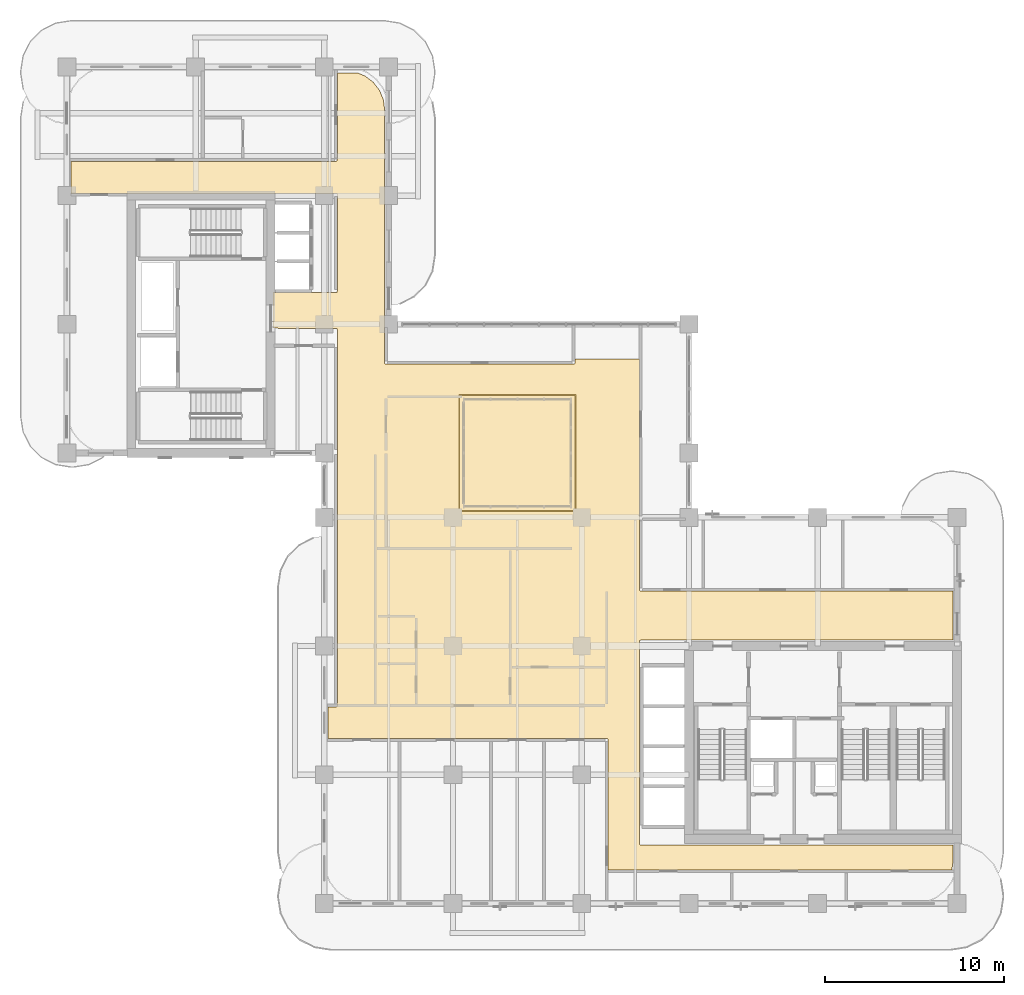
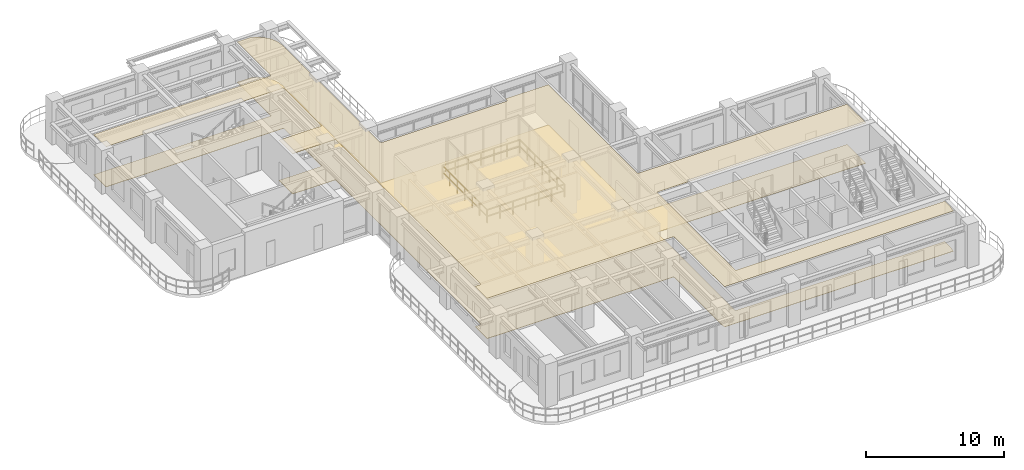
# One storey, part 18 of 21: 2 coverings, 1 railing.
"""IFC4 building model written with IfcOpenShell, lengths in metres."""

from ifc_helpers import new_model, si_unit, derived_unit, direction, frame, origin, origin_2d, place, context, subcontext, project, spatial, polyline, rectangle, outline, extrude, material, layer, layer_set, type_object, element, save


model = new_model("IFC4")

# Units and contexts
model_context = context("Model", 3, precision=1e-05, world=origin(), true_north=direction((0.0, 1.0)))
body_context = subcontext(model_context, "Body", "Model", "MODEL_VIEW")
ifc_project = project(units=[si_unit("LENGTHUNIT", "METRE"), si_unit("AREAUNIT", "SQUARE_METRE"), si_unit("VOLUMEUNIT", "CUBIC_METRE"), si_unit("PLANEANGLEUNIT", "RADIAN"), si_unit("MASSUNIT", "GRAM", prefix="KILO"), si_unit("THERMODYNAMICTEMPERATUREUNIT", "KELVIN"), si_unit("POWERUNIT", "WATT"), derived_unit("THERMALTRANSMITTANCEUNIT", [(si_unit("POWERUNIT", "WATT"), 1), (si_unit("AREAUNIT", "SQUARE_METRE"), -1), (si_unit("THERMODYNAMICTEMPERATUREUNIT", "KELVIN"), -1)])], contexts=[model_context])

# Site, building, storey
site_placement = place(None, origin())
site = spatial("IfcSite", under=ifc_project, at=site_placement, CompositionType="ELEMENT")
building_placement = place(site_placement, origin())
building = spatial("IfcBuilding", under=site, at=building_placement, Name="Zahravan Archway Hotel and Residences", CompositionType="ELEMENT")
storey_placement = place(building_placement, frame((0.0, 0.0, 169.550048828125)))
storey = spatial("IfcBuildingStorey", under=building, at=storey_placement, Name="L42", CompositionType="ELEMENT", Elevation=169.550048828125)

# Coverings
ifc_material_1 = material(Name="Perforated Acoustic Gypsum Ceiling")
ifc_layer_1 = layer(ifc_material_1, 0.02490234375, Name="Perforated Acoustic Gypsum Ceiling")
ifc_layer_set_1 = layer_set([ifc_layer_1], Name="Perforated Acoustic Gypsum Ceiling")
covering_type_1 = type_object("IfcCoveringType", Name="COV-CEIL-ACST", PredefinedType="CEILING", material=ifc_layer_set_1)
covering_1_placement = place(storey_placement, frame((0.0, 0.0, 3.574951171875)))
element("IfcCovering", 1, at=covering_1_placement, inside=storey, type_object=covering_type_1, Name="L42 Acoustic Corridor Ceiling", PredefinedType="CEILING", context=body_context, shape_type="SweptSolid", body=[
    extrude(outline(polyline([(32.021484375, 3.33447265625), (32.04345703125, 3.29345703125), (32.08447265625, 3.271484375), (49.580078125, 3.27001953125), (49.580078125, 2.414306640625), (49.509521484375, 1.8798828125), (30.280029296875, 1.8798828125), (30.280029296875, 9.14990234375), (30.2666015625, 9.1943359375), (30.230712890625, 9.223876953125), (14.6201171875, 9.22998046875), (14.6201171875, 10.989990234375), (15.050048828125, 10.989990234375), (15.094482421875, 11.00341796875), (15.123779296875, 11.039306640625), (15.1298828125, 32.10009765625), (15.116455078125, 32.144287109375), (15.08056640625, 32.173828125), (11.530029296875, 32.179931640625), (11.530029296875, 34.169921875), (15.050048828125, 34.169921875), (15.094482421875, 34.18359375), (15.123779296875, 34.219482421875), (15.1298828125, 39.64990234375), (15.116455078125, 39.6943359375), (15.08056640625, 39.723876953125), (0.22998046875, 39.72998046875), (0.22998046875, 41.52001953125), (15.050048828125, 41.52001953125), (15.094482421875, 41.533447265625), (15.123779296875, 41.5693359375), (15.1298828125, 46.469970703125), (16.24560546875, 46.469970703125), (16.689208984375, 46.286376953125), (17.14013671875, 45.940185546875), (17.486328125, 45.489013671875), (17.703857421875, 44.9638671875), (17.77001953125, 44.46142578125), (17.77001953125, 30.25), (17.783447265625, 30.20556640625), (17.8193359375, 30.176025390625), (28.35009765625, 30.169921875), (28.394287109375, 30.18359375), (28.423828125, 30.219482421875), (28.429931640625, 30.469970703125), (32.02001953125, 30.469970703125), (32.02001953125, 17.550048828125), (32.033447265625, 17.505615234375), (32.0693359375, 17.47607421875), (49.580078125, 17.469970703125), (49.580078125, 14.72998046875), (32.10009765625, 14.72998046875), (32.0556640625, 14.716552734375), (32.026123046875, 14.6806640625), (32.02001953125, 3.35009765625), (32.021484375, 3.33447265625)])), origin(), (0.0, 0.0, 1.0), 0.02490234375),
])
ifc_material_2 = material(Name="Honed Margalla Limestone & Mortar Bed", Category="masonry")
ifc_layer_2 = layer(ifc_material_2, 0.030029296875, Name="Honed Margalla Limestone & Mortar Bed", Category="masonry")
ifc_layer_set_2 = layer_set([ifc_layer_2], Name="Honed Margalla Limestone & Mortar Bed")
covering_type_2 = type_object("IfcCoveringType", Name="COV-FLR-STONE", PredefinedType="FLOORING", material=ifc_layer_set_2)
covering_2_placement = place(storey_placement, origin())
element("IfcCovering", 2, at=covering_2_placement, inside=storey, type_object=covering_type_2, Name="L42 Circulation Floor Finish", PredefinedType="FLOORING", context=body_context, shape_type="SweptSolid", body=[
    extrude(outline(polyline([(32.021484375, 3.33447265625), (32.04345703125, 3.29345703125), (32.08447265625, 3.271484375), (49.580078125, 3.27001953125), (49.580078125, 2.414306640625), (49.509521484375, 1.8798828125), (30.280029296875, 1.8798828125), (30.280029296875, 9.14990234375), (30.2666015625, 9.1943359375), (30.230712890625, 9.223876953125), (14.6201171875, 9.22998046875), (14.6201171875, 10.989990234375), (15.050048828125, 10.989990234375), (15.094482421875, 11.00341796875), (15.123779296875, 11.039306640625), (15.1298828125, 32.10009765625), (15.116455078125, 32.144287109375), (15.08056640625, 32.173828125), (11.530029296875, 32.179931640625), (11.530029296875, 34.169921875), (15.050048828125, 34.169921875), (15.094482421875, 34.18359375), (15.123779296875, 34.219482421875), (15.1298828125, 39.64990234375), (15.116455078125, 39.6943359375), (15.08056640625, 39.723876953125), (0.22998046875, 39.72998046875), (0.22998046875, 41.52001953125), (15.050048828125, 41.52001953125), (15.094482421875, 41.533447265625), (15.123779296875, 41.5693359375), (15.1298828125, 46.469970703125), (16.24560546875, 46.469970703125), (16.689208984375, 46.286376953125), (17.14013671875, 45.940185546875), (17.486328125, 45.489013671875), (17.703857421875, 44.9638671875), (17.77001953125, 44.46142578125), (17.77001953125, 30.25), (17.783447265625, 30.20556640625), (17.8193359375, 30.176025390625), (28.35009765625, 30.169921875), (28.394287109375, 30.18359375), (28.423828125, 30.219482421875), (28.429931640625, 30.469970703125), (32.02001953125, 30.469970703125), (32.02001953125, 17.550048828125), (32.033447265625, 17.505615234375), (32.0693359375, 17.47607421875), (49.580078125, 17.469970703125), (49.580078125, 14.72998046875), (32.10009765625, 14.72998046875), (32.0556640625, 14.716552734375), (32.026123046875, 14.6806640625), (32.02001953125, 3.35009765625), (32.021484375, 3.33447265625)])), origin(), (0.0, 0.0, 1.0), 0.030029296875),
])

# Railing
ifc_material_3 = material(Name="Atrium Laminated Glass Guardrail", Category="glass")
railing_type = type_object("IfcRailingType", Name="RL-ATR-1200", PredefinedType="BALUSTRADE", material=ifc_material_3)
railing_placement = place(storey_placement, frame((21.949951171875, 21.949951171875, 0.0)))
element("IfcRailing", 3, at=railing_placement, inside=storey, type_object=railing_type, Name="L42 Balustrade RL-ATR-L42", PredefinedType="BALUSTRADE", context=body_context, shape_type="SweptSolid", body=[
    extrude(rectangle(XDim=0.048095703125, YDim=0.048095703125, at=origin_2d()), frame((0.0, 0.0, 1.17578125), z_axis=(1.0, 0.0, 0.0), x_axis=(0.0, 1.0, 0.0)), (0.0, 0.0, 1.0), 6.5),
    extrude(rectangle(XDim=0.048095703125, YDim=0.048095703125, at=origin_2d()), frame((0.0, 0.0, 0.60009765625), z_axis=(1.0, 0.0, 0.0), x_axis=(0.0, 1.0, 0.0)), (0.0, 0.0, 1.0), 6.5),
    extrude(rectangle(XDim=0.048095703125, YDim=0.048095703125, at=origin_2d()), frame((6.5, 0.0, 1.17578125), z_axis=(0.0, 1.0, 0.0), x_axis=(-1.0, 0.0, 0.0)), (0.0, 0.0, 1.0), 6.5),
    extrude(rectangle(XDim=0.048095703125, YDim=0.048095703125, at=origin_2d()), frame((6.5, 0.0, 0.60009765625), z_axis=(0.0, 1.0, 0.0), x_axis=(-1.0, 0.0, 0.0)), (0.0, 0.0, 1.0), 6.5),
    extrude(rectangle(XDim=0.048095703125, YDim=0.048095703125, at=origin_2d()), frame((6.5, 6.5, 1.17578125), z_axis=(-1.0, 0.0, 0.0), x_axis=(0.0, -1.0, 0.0)), (0.0, 0.0, 1.0), 6.5),
    extrude(rectangle(XDim=0.048095703125, YDim=0.048095703125, at=origin_2d()), frame((6.5, 6.5, 0.60009765625), z_axis=(-1.0, 0.0, 0.0), x_axis=(0.0, -1.0, 0.0)), (0.0, 0.0, 1.0), 6.5),
    extrude(rectangle(XDim=0.048095703125, YDim=0.048095703125, at=origin_2d()), frame((0.0, 6.5, 1.17578125), z_axis=(0.0, -1.0, 0.0), x_axis=(1.0, 0.0, 0.0)), (0.0, 0.0, 1.0), 6.5),
    extrude(rectangle(XDim=0.048095703125, YDim=0.048095703125, at=origin_2d()), frame((0.0, 6.5, 0.60009765625), z_axis=(0.0, -1.0, 0.0), x_axis=(1.0, 0.0, 0.0)), (0.0, 0.0, 1.0), 6.5),
    extrude(rectangle(XDim=0.0419921875, YDim=0.0419921875, at=origin_2d()), origin(), (0.0, 0.0, 1.0), 1.15185546875),
    extrude(rectangle(XDim=0.0419921875, YDim=0.0419921875, at=origin_2d()), frame((1.083251953125, 0.0, 0.0)), (0.0, 0.0, 1.0), 1.15185546875),
    extrude(rectangle(XDim=0.0419921875, YDim=0.0419921875, at=origin_2d()), frame((2.166748046875, 0.0, 0.0)), (0.0, 0.0, 1.0), 1.15185546875),
    extrude(rectangle(XDim=0.0419921875, YDim=0.0419921875, at=origin_2d()), frame((3.25, 0.0, 0.0)), (0.0, 0.0, 1.0), 1.15185546875),
    extrude(rectangle(XDim=0.0419921875, YDim=0.0419921875, at=origin_2d()), frame((4.333251953125, 0.0, 0.0)), (0.0, 0.0, 1.0), 1.15185546875),
    extrude(rectangle(XDim=0.0419921875, YDim=0.0419921875, at=origin_2d()), frame((5.416748046875, 0.0, 0.0)), (0.0, 0.0, 1.0), 1.15185546875),
    extrude(rectangle(XDim=0.0419921875, YDim=0.0419921875, at=origin_2d()), frame((6.5, 0.0, 0.0)), (0.0, 0.0, 1.0), 1.15185546875),
    extrude(rectangle(XDim=0.0419921875, YDim=0.0419921875, at=origin_2d()), frame((6.5, 1.083251953125, 0.0)), (0.0, 0.0, 1.0), 1.15185546875),
    extrude(rectangle(XDim=0.0419921875, YDim=0.0419921875, at=origin_2d()), frame((6.5, 2.166748046875, 0.0)), (0.0, 0.0, 1.0), 1.15185546875),
    extrude(rectangle(XDim=0.0419921875, YDim=0.0419921875, at=origin_2d()), frame((6.5, 3.25, 0.0)), (0.0, 0.0, 1.0), 1.15185546875),
    extrude(rectangle(XDim=0.0419921875, YDim=0.0419921875, at=origin_2d()), frame((6.5, 4.333251953125, 0.0)), (0.0, 0.0, 1.0), 1.15185546875),
    extrude(rectangle(XDim=0.0419921875, YDim=0.0419921875, at=origin_2d()), frame((6.5, 5.416748046875, 0.0)), (0.0, 0.0, 1.0), 1.15185546875),
    extrude(rectangle(XDim=0.0419921875, YDim=0.0419921875, at=origin_2d()), frame((6.5, 6.5, 0.0)), (0.0, 0.0, 1.0), 1.15185546875),
    extrude(rectangle(XDim=0.0419921875, YDim=0.0419921875, at=origin_2d()), frame((5.416748046875, 6.5, 0.0)), (0.0, 0.0, 1.0), 1.15185546875),
    extrude(rectangle(XDim=0.0419921875, YDim=0.0419921875, at=origin_2d()), frame((4.333251953125, 6.5, 0.0)), (0.0, 0.0, 1.0), 1.15185546875),
    extrude(rectangle(XDim=0.0419921875, YDim=0.0419921875, at=origin_2d()), frame((3.25, 6.5, 0.0)), (0.0, 0.0, 1.0), 1.15185546875),
    extrude(rectangle(XDim=0.0419921875, YDim=0.0419921875, at=origin_2d()), frame((2.166748046875, 6.5, 0.0)), (0.0, 0.0, 1.0), 1.15185546875),
    extrude(rectangle(XDim=0.0419921875, YDim=0.0419921875, at=origin_2d()), frame((1.083251953125, 6.5, 0.0)), (0.0, 0.0, 1.0), 1.15185546875),
    extrude(rectangle(XDim=0.0419921875, YDim=0.0419921875, at=origin_2d()), frame((0.0, 6.5, 0.0)), (0.0, 0.0, 1.0), 1.15185546875),
    extrude(rectangle(XDim=0.0419921875, YDim=0.0419921875, at=origin_2d()), frame((0.0, 5.416748046875, 0.0)), (0.0, 0.0, 1.0), 1.15185546875),
    extrude(rectangle(XDim=0.0419921875, YDim=0.0419921875, at=origin_2d()), frame((0.0, 4.333251953125, 0.0)), (0.0, 0.0, 1.0), 1.15185546875),
    extrude(rectangle(XDim=0.0419921875, YDim=0.0419921875, at=origin_2d()), frame((0.0, 3.25, 0.0)), (0.0, 0.0, 1.0), 1.15185546875),
    extrude(rectangle(XDim=0.0419921875, YDim=0.0419921875, at=origin_2d()), frame((0.0, 2.166748046875, 0.0)), (0.0, 0.0, 1.0), 1.15185546875),
    extrude(rectangle(XDim=0.0419921875, YDim=0.0419921875, at=origin_2d()), frame((0.0, 1.083251953125, 0.0)), (0.0, 0.0, 1.0), 1.15185546875),
])

save(model, "model.ifc")
